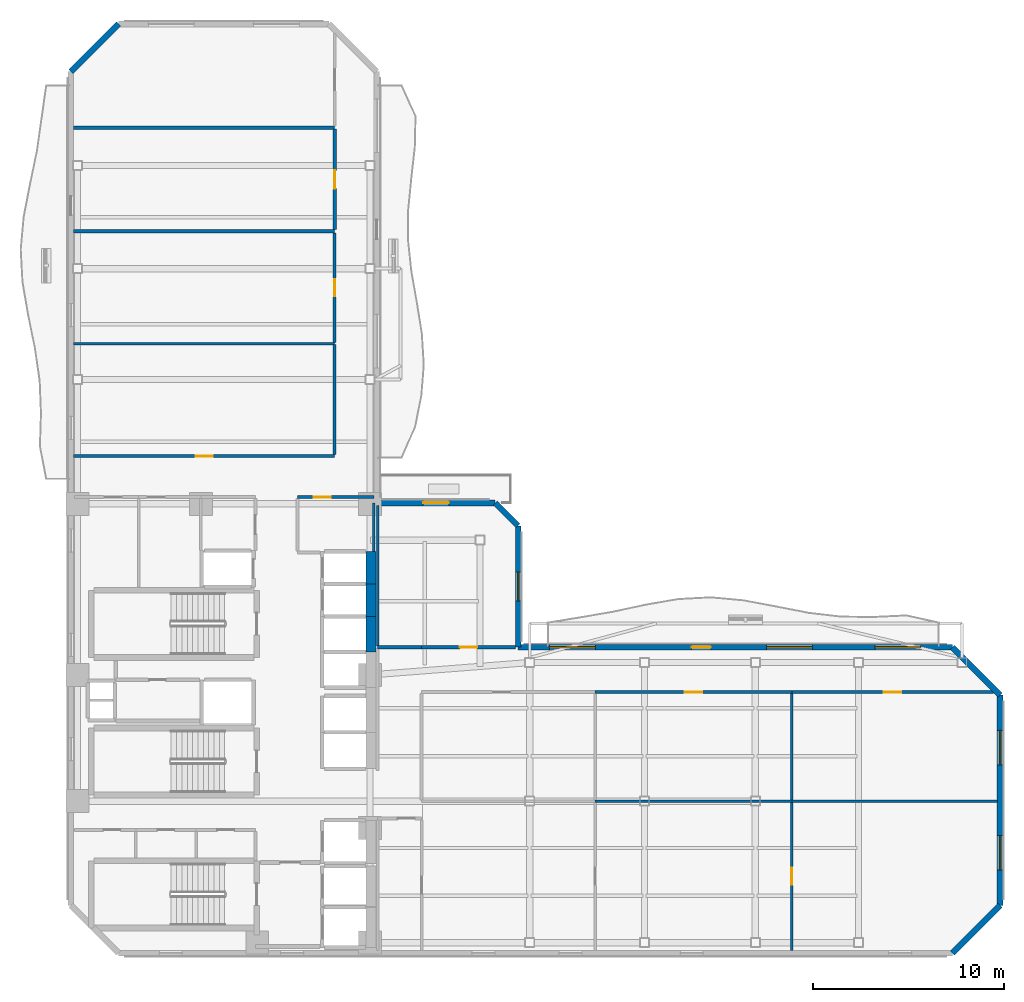
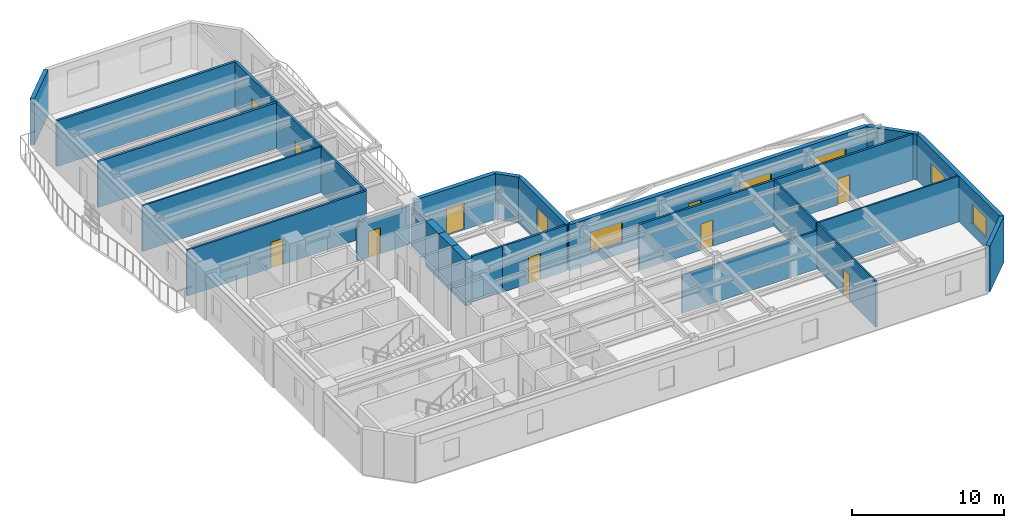
# One storey, part 5 of 12: 29 walls, 10 doors, 6 windows, 16 openings.
"""IFC4 building model written with IfcOpenShell, lengths in metres."""

from ifc_helpers import new_model, si_unit, direction, frame, frame_2d, origin, place, context, subcontext, project, spatial, rectangle, extrude, material, layer, layer_set, type_object, element, fill, save


model = new_model("IFC4")

# Units and contexts
model_context = context("Model", 3, precision=1e-05, world=origin(), true_north=direction((0.0, 1.0)))
body_context = subcontext(model_context, "Body", "Model", "MODEL_VIEW")
ifc_project = project(units=[si_unit("LENGTHUNIT", "METRE"), si_unit("AREAUNIT", "SQUARE_METRE"), si_unit("VOLUMEUNIT", "CUBIC_METRE"), si_unit("PLANEANGLEUNIT", "RADIAN"), si_unit("MASSUNIT", "GRAM", prefix="KILO")], contexts=[model_context])

# Site, building, storey
site_placement = place(None, origin())
site = spatial("IfcSite", under=ifc_project, at=site_placement, CompositionType="ELEMENT")
building_placement = place(site_placement, origin())
building = spatial("IfcBuilding", under=site, at=building_placement, Name="Mawjaban Terraces University", CompositionType="ELEMENT")
storey_placement = place(building_placement, frame((0.0, 0.0, 150.199951171875)))
storey = spatial("IfcBuildingStorey", under=building, at=storey_placement, Name="L36", CompositionType="ELEMENT", Elevation=150.199951171875)

# Walls
ifc_material_1 = material(Name="Acoustic masonry blockwork", Category="masonry")
ifc_layer_1 = layer(ifc_material_1, 0.179931640625)
ifc_layer_set_1 = layer_set([ifc_layer_1], Name="Acoustic masonry blockwork")
wall_type_1 = type_object("IfcWallType", Name="AcousticStudioWall_180", PredefinedType="PARTITIONING", material=ifc_layer_set_1)
for number, where, z_axis, x_axis, name in (
    (1, (35.800048828125, 37.75, 0.0), (0.0, 0.0, 1.0), (-1.0, 0.0, 0.0), "L36 Quiet Reading Room 9 Partition 14"),
    (2, (35.800048828125, 43.179931640625, 0.0), (0.0, 0.0, 1.0), (-1.0, 0.0, 0.0), "L36 Media Workshop 10 Partition 15"),
):
    element("IfcWall", number, at=place(storey_placement, frame(where, z_axis=z_axis, x_axis=x_axis)), inside=storey, type_object=wall_type_1, Name=name, PredefinedType="PARTITIONING", context=body_context, shape_type="SweptSolid", body=[
        extrude(rectangle(XDim=13.655029296875, YDim=0.179931640625, at=frame_2d((6.82763671875, 0.0))), origin(), (0.0, 0.0, 1.0), 3.68994140625),
    ])

# Wall, opening, door
wall_1_placement = place(storey_placement, frame((35.800048828125, 43.094970703125, 0.0), z_axis=(0.0, 0.0, 1.0), x_axis=(0.0, -1.0, 0.0)))
wall_1 = element("IfcWall", 3, at=wall_1_placement, inside=storey, type_object=wall_type_1, Name="L36 Inner Terrace Gallery Corridor North Partition 36", PredefinedType="PARTITIONING", context=body_context, shape_type="SweptSolid", body=[
    extrude(rectangle(XDim=5.260009765625, YDim=0.179931640625, at=frame_2d((2.6298828125, 0.0))), origin(), (0.0, 0.0, 1.0), 3.68994140625),
])
opening_1_placement = place(wall_1_placement, frame((2.155029296875, 0.0, 0.0)))
opening_1 = element("IfcOpeningElement", 4, at=opening_1_placement, cuts=wall_1, Name="Opening ID-095", PredefinedType="OPENING", context=body_context, shape_type="SweptSolid", body=[
    extrude(rectangle(XDim=0.949951171875, YDim=2.10009765625, at=frame_2d((0.47509765625, 1.050048828125))), frame((0.0, 0.099853515625, 0.0), z_axis=(0.0, -1.0, 0.0), x_axis=(1.0, 0.0, 0.0)), (0.0, 0.0, 1.0), 0.199951171875),
])
ifc_material_2 = material(Name="Powder-coated steel frame and solid acoustic timber leaf", Category="steel")
door_type_1 = type_object("IfcDoorType", Name="StudioDoor_950x2100", OperationType="NOTDEFINED", PredefinedType="DOOR", material=ifc_material_2)
door_1_placement = place(opening_1_placement, origin())
door_1 = element("IfcDoor", 5, at=door_1_placement, inside=storey, type_object=door_type_1, Name="L36 Media Workshop 10 Door", OperationType="SINGLE_SWING_RIGHT", OverallHeight=2.10009765625, OverallWidth=0.949951171875, PredefinedType="DOOR", context=body_context, shape_type="SweptSolid", body=[
    extrude(rectangle(XDim=0.949951171875, YDim=2.10009765625, at=frame_2d((0.47509765625, 1.050048828125))), frame((0.0, 0.02490234375, 0.0), z_axis=(0.0, -1.0, 0.0), x_axis=(1.0, 0.0, 0.0)), (0.0, 0.0, 1.0), 0.050048828125),
])
fill(opening_1, door_1)

# Walls
ifc_material_3 = material(Name="Concrete C60/75", Category="concrete")
ifc_layer_2 = layer(ifc_material_3, 0.5)
ifc_layer_set_2 = layer_set([ifc_layer_2], Name="Concrete C60/75")
wall_type_2 = type_object("IfcWallType", Name="CoreShearWall_500", PredefinedType="SHEAR", material=ifc_layer_set_2)
wall_2_placement = place(storey_placement, frame((37.699951171875, 15.75, 0.0), z_axis=(0.0, 0.0, 1.0), x_axis=(0.0, 1.0, 0.0)))
element("IfcWall", 6, at=wall_2_placement, inside=storey, type_object=wall_type_2, Name="L36 Lift OL-2 Hoistway Wall East", PredefinedType="SHEAR", context=body_context, shape_type="SweptSolid", body=[
    extrude(rectangle(XDim=1.85009765625, YDim=0.5, at=frame_2d((0.925048828125, 0.0))), origin(), (0.0, 0.0, 1.0), 3.68994140625),
])
for number, where, z_axis, x_axis, name in (
    (7, (37.699951171875, 17.60009765625, 0.0), (0.0, 0.0, 1.0), (0.0, 1.0, 0.0), "L36 Lift PL-M1 Hoistway Wall East"),
    (8, (37.699951171875, 19.300048828125, 0.0), (0.0, 0.0, 1.0), (0.0, 1.0, 0.0), "L36 Lift PL-M2 Hoistway Wall East"),
):
    element("IfcWall", number, at=place(storey_placement, frame(where, z_axis=z_axis, x_axis=x_axis)), inside=storey, type_object=wall_type_2, Name=name, PredefinedType="SHEAR", context=body_context, shape_type="SweptSolid", body=[
        extrude(rectangle(XDim=1.699951171875, YDim=0.5, at=frame_2d((0.85009765625, 0.0))), origin(), (0.0, 0.0, 1.0), 3.68994140625),
    ])

# Wall, opening, door
ifc_material_4 = material(Name="Fire-rated gypsum board on steel stud", Category="steel")
ifc_layer_3 = layer(ifc_material_4, 0.159912109375)
ifc_layer_set_3 = layer_set([ifc_layer_3], Name="Fire-rated gypsum board on steel stud")
wall_type_3 = type_object("IfcWallType", Name="CorridorPartition_160", PredefinedType="PARTITIONING", material=ifc_layer_set_3)
wall_3_placement = place(storey_placement, frame((35.800048828125, 26.0, 0.0), z_axis=(0.0, 0.0, 1.0), x_axis=(-1.0, 0.0, 0.0)))
wall_3 = element("IfcWall", 9, at=wall_3_placement, inside=storey, type_object=wall_type_3, Name="L36 North Core Cross-Corridor Partition 12", PredefinedType="PARTITIONING", context=body_context, shape_type="SweptSolid", body=[
    extrude(rectangle(XDim=13.655029296875, YDim=0.159912109375, at=frame_2d((6.82763671875, 0.0))), origin(), (0.0, 0.0, 1.0), 3.68994140625),
])
opening_2_placement = place(wall_3_placement, frame((6.376953125, 0.0, 0.0)))
opening_2 = element("IfcOpeningElement", 10, at=opening_2_placement, cuts=wall_3, Name="Opening ID-090", PredefinedType="OPENING", context=body_context, shape_type="SweptSolid", body=[
    extrude(rectangle(XDim=0.89990234375, YDim=2.10009765625, at=frame_2d((0.449951171875, 1.050048828125))), frame((0.0, 0.08984375, 0.0), z_axis=(0.0, -1.0, 0.0), x_axis=(1.0, 0.0, 0.0)), (0.0, 0.0, 1.0), 0.179931640625),
])
door_type_2 = type_object("IfcDoorType", Name="OfficeDoor_900x2100", OperationType="NOTDEFINED", PredefinedType="DOOR", material=ifc_material_2)
door_2_placement = place(opening_2_placement, origin())
door_2 = element("IfcDoor", 11, at=door_2_placement, inside=storey, type_object=door_type_2, Name="L36 Departmental Office 8 Door", OperationType="SINGLE_SWING_RIGHT", OverallHeight=2.10009765625, OverallWidth=0.89990234375, PredefinedType="DOOR", context=body_context, shape_type="SweptSolid", body=[
    extrude(rectangle(XDim=0.89990234375, YDim=2.10009765625, at=frame_2d((0.449951171875, 1.050048828125))), frame((0.0, 0.02490234375, 0.0), z_axis=(0.0, -1.0, 0.0), x_axis=(1.0, 0.0, 0.0)), (0.0, 0.0, 1.0), 0.050048828125),
])
fill(opening_2, door_2)

wall_4_placement = place(storey_placement, frame((37.85009765625, 23.85009765625, 0.0), z_axis=(0.0, 0.0, 1.0), x_axis=(-1.0, 0.0, 0.0)))
wall_4 = element("IfcWall", 12, at=wall_4_placement, inside=storey, type_object=wall_type_3, Name="L36 Departmental Resource Seminar Room Partition 16", PredefinedType="PARTITIONING", context=body_context, shape_type="SweptSolid", body=[
    extrude(rectangle(XDim=4.0, YDim=0.159912109375, at=frame_2d((2.0, 0.0))), origin(), (0.0, 0.0, 1.0), 3.073974609375),
])
opening_3_placement = place(wall_4_placement, frame((2.25, 0.0, 0.0)))
opening_3 = element("IfcOpeningElement", 13, at=opening_3_placement, cuts=wall_4, Name="Opening ID-090", PredefinedType="OPENING", context=body_context, shape_type="SweptSolid", body=[
    extrude(rectangle(XDim=0.89990234375, YDim=2.10009765625, at=frame_2d((0.449951171875, 1.050048828125))), frame((0.0, 0.08984375, 0.0), z_axis=(0.0, -1.0, 0.0), x_axis=(1.0, 0.0, 0.0)), (0.0, 0.0, 1.0), 0.179931640625),
])
door_3_placement = place(opening_3_placement, origin())
door_3 = element("IfcDoor", 14, at=door_3_placement, inside=storey, type_object=door_type_2, Name="L36 Departmental Resource Seminar Room Door", OperationType="SINGLE_SWING_LEFT", OverallHeight=2.10009765625, OverallWidth=0.89990234375, PredefinedType="DOOR", context=body_context, shape_type="SweptSolid", body=[
    extrude(rectangle(XDim=0.89990234375, YDim=2.10009765625, at=frame_2d((0.449951171875, 1.050048828125))), frame((0.0, 0.02490234375, 0.0), z_axis=(0.0, -1.0, 0.0), x_axis=(1.0, 0.0, 0.0)), (0.0, 0.0, 1.0), 0.050048828125),
])
fill(opening_3, door_3)

# Wall
wall_5_placement = place(storey_placement, frame((40.35009765625, 16.0, 0.0), z_axis=(0.0, 0.0, 1.0), x_axis=(-1.0, 0.0, 0.0)))
element("IfcWall", 15, at=wall_5_placement, inside=storey, type_object=wall_type_3, Name="L36 Inner Gallery Link Corridor Partition 19", PredefinedType="PARTITIONING", context=body_context, shape_type="SweptSolid", body=[
    extrude(rectangle(XDim=2.300048828125, YDim=0.159912109375, at=frame_2d((1.14990234375, 0.0))), origin(), (0.0, 0.0, 1.0), 3.68994140625),
])

# Wall, opening, door
wall_6_placement = place(storey_placement, frame((40.35009765625, 16.0, 0.0), z_axis=(0.0, 0.0, 1.0), x_axis=(1.0, 0.0, 0.0)))
wall_6 = element("IfcWall", 16, at=wall_6_placement, inside=storey, type_object=wall_type_3, Name="L36 Terrace Collaborative Study Room Partition 20", PredefinedType="PARTITIONING", context=body_context, shape_type="SweptSolid", body=[
    extrude(rectangle(XDim=4.89892578125, YDim=0.159912109375, at=frame_2d((2.449462890625, 0.0))), origin(), (0.0, 0.0, 1.0), 3.68994140625),
])
opening_4_placement = place(wall_6_placement, frame((2.0, 0.0, 0.0)))
opening_4 = element("IfcOpeningElement", 17, at=opening_4_placement, cuts=wall_6, Name="Opening ID-090", PredefinedType="OPENING", context=body_context, shape_type="SweptSolid", body=[
    extrude(rectangle(XDim=0.89990234375, YDim=2.10009765625, at=frame_2d((0.449951171875, 1.050048828125))), frame((0.0, 0.08984375, 0.0), z_axis=(0.0, -1.0, 0.0), x_axis=(1.0, 0.0, 0.0)), (0.0, 0.0, 1.0), 0.179931640625),
])
door_4_placement = place(opening_4_placement, origin())
door_4 = element("IfcDoor", 18, at=door_4_placement, inside=storey, type_object=door_type_2, Name="L36 Terrace Collaborative Study Room Door", OperationType="SINGLE_SWING_RIGHT", OverallHeight=2.10009765625, OverallWidth=0.89990234375, PredefinedType="DOOR", context=body_context, shape_type="SweptSolid", body=[
    extrude(rectangle(XDim=0.89990234375, YDim=2.10009765625, at=frame_2d((0.449951171875, 1.050048828125))), frame((0.0, 0.02490234375, 0.0), z_axis=(0.0, -1.0, 0.0), x_axis=(1.0, 0.0, 0.0)), (0.0, 0.0, 1.0), 0.050048828125),
])
fill(opening_4, door_4)

wall_7_placement = place(storey_placement, frame((49.419921875, 13.64990234375, 0.0), z_axis=(0.0, 0.0, 1.0), x_axis=(1.0, 0.0, 0.0)))
wall_7 = element("IfcWall", 19, at=wall_7_placement, inside=storey, type_object=wall_type_3, Name="L36 Inner Terrace Gallery Corridor East Partition 22", PredefinedType="PARTITIONING", context=body_context, shape_type="SweptSolid", body=[
    extrude(rectangle(XDim=10.2900390625, YDim=0.159912109375, at=frame_2d((5.14501953125, 0.0))), origin(), (0.0, 0.0, 1.0), 3.68994140625),
])
opening_5_placement = place(wall_7_placement, frame((4.695068359375, 0.0, 0.0)))
opening_5 = element("IfcOpeningElement", 20, at=opening_5_placement, cuts=wall_7, Name="Opening ID-090", PredefinedType="OPENING", context=body_context, shape_type="SweptSolid", body=[
    extrude(rectangle(XDim=0.89990234375, YDim=2.10009765625, at=frame_2d((0.449951171875, 1.050048828125))), frame((0.0, 0.08984375, 0.0), z_axis=(0.0, -1.0, 0.0), x_axis=(1.0, 0.0, 0.0)), (0.0, 0.0, 1.0), 0.179931640625),
])
door_5_placement = place(opening_5_placement, origin())
door_5 = element("IfcDoor", 21, at=door_5_placement, inside=storey, type_object=door_type_2, Name="L36 Faculty Office 5 Door", OperationType="SINGLE_SWING_LEFT", OverallHeight=2.10009765625, OverallWidth=0.89990234375, PredefinedType="DOOR", context=body_context, shape_type="SweptSolid", body=[
    extrude(rectangle(XDim=0.89990234375, YDim=2.10009765625, at=frame_2d((0.449951171875, 1.050048828125))), frame((0.0, 0.02490234375, 0.0), z_axis=(0.0, -1.0, 0.0), x_axis=(1.0, 0.0, 0.0)), (0.0, 0.0, 1.0), 0.050048828125),
])
fill(opening_5, door_5)

wall_8_placement = place(storey_placement, frame((59.7099609375, 13.64990234375, 0.0), z_axis=(0.0, 0.0, 1.0), x_axis=(1.0, 0.0, 0.0)))
wall_8 = element("IfcWall", 22, at=wall_8_placement, inside=storey, type_object=wall_type_3, Name="L36 Inner Terrace Gallery Corridor East Partition 24", PredefinedType="PARTITIONING", context=body_context, shape_type="SweptSolid", body=[
    extrude(rectangle(XDim=10.53515625, YDim=0.159912109375, at=frame_2d((5.267578125, 0.0))), origin(), (0.0, 0.0, 1.0), 3.68994140625),
])
opening_6_placement = place(wall_8_placement, frame((4.818115234375, 0.0, 0.0)))
opening_6 = element("IfcOpeningElement", 23, at=opening_6_placement, cuts=wall_8, Name="Opening ID-090", PredefinedType="OPENING", context=body_context, shape_type="SweptSolid", body=[
    extrude(rectangle(XDim=0.89990234375, YDim=2.10009765625, at=frame_2d((0.449951171875, 1.050048828125))), frame((0.0, 0.08984375, 0.0), z_axis=(0.0, -1.0, 0.0), x_axis=(1.0, 0.0, 0.0)), (0.0, 0.0, 1.0), 0.179931640625),
])
door_6_placement = place(opening_6_placement, origin())
door_6 = element("IfcDoor", 24, at=door_6_placement, inside=storey, type_object=door_type_2, Name="L36 Faculty Office 7 Door", OperationType="SINGLE_SWING_LEFT", OverallHeight=2.10009765625, OverallWidth=0.89990234375, PredefinedType="DOOR", context=body_context, shape_type="SweptSolid", body=[
    extrude(rectangle(XDim=0.89990234375, YDim=2.10009765625, at=frame_2d((0.449951171875, 1.050048828125))), frame((0.0, 0.02490234375, 0.0), z_axis=(0.0, -1.0, 0.0), x_axis=(1.0, 0.0, 0.0)), (0.0, 0.0, 1.0), 0.050048828125),
])
fill(opening_6, door_6)

# Wall
wall_9_placement = place(storey_placement, frame((35.800048828125, 31.822021484375, 0.0), z_axis=(0.0, 0.0, 1.0), x_axis=(0.0, -1.0, 0.0)))
element("IfcWall", 25, at=wall_9_placement, inside=storey, type_object=wall_type_3, Name="L36 Inner Terrace Gallery Corridor North Partition 34", PredefinedType="PARTITIONING", context=body_context, shape_type="SweptSolid", body=[
    extrude(rectangle(XDim=5.7470703125, YDim=0.159912109375, at=frame_2d((2.87353515625, 0.0))), origin(), (0.0, 0.0, 1.0), 3.68994140625),
])

# Wall, opening, door
wall_10_placement = place(storey_placement, frame((35.800048828125, 37.6650390625, 0.0), z_axis=(0.0, 0.0, 1.0), x_axis=(0.0, -1.0, 0.0)))
wall_10 = element("IfcWall", 26, at=wall_10_placement, inside=storey, type_object=wall_type_3, Name="L36 Inner Terrace Gallery Corridor North Partition 35", PredefinedType="PARTITIONING", context=body_context, shape_type="SweptSolid", body=[
    extrude(rectangle(XDim=5.72705078125, YDim=0.159912109375, at=frame_2d((2.863525390625, 0.0))), origin(), (0.0, 0.0, 1.0), 3.68994140625),
])
opening_7_placement = place(wall_10_placement, frame((2.4130859375, 0.0, 0.0)))
opening_7 = element("IfcOpeningElement", 27, at=opening_7_placement, cuts=wall_10, Name="Opening ID-090", PredefinedType="OPENING", context=body_context, shape_type="SweptSolid", body=[
    extrude(rectangle(XDim=0.89990234375, YDim=2.10009765625, at=frame_2d((0.449951171875, 1.050048828125))), frame((0.0, 0.08984375, 0.0), z_axis=(0.0, -1.0, 0.0), x_axis=(1.0, 0.0, 0.0)), (0.0, 0.0, 1.0), 0.179931640625),
])
door_7_placement = place(opening_7_placement, origin())
door_7 = element("IfcDoor", 28, at=door_7_placement, inside=storey, type_object=door_type_2, Name="L36 Quiet Reading Room 9 Door", OperationType="SINGLE_SWING_LEFT", OverallHeight=2.10009765625, OverallWidth=0.89990234375, PredefinedType="DOOR", context=body_context, shape_type="SweptSolid", body=[
    extrude(rectangle(XDim=0.89990234375, YDim=2.10009765625, at=frame_2d((0.449951171875, 1.050048828125))), frame((0.0, 0.02490234375, 0.0), z_axis=(0.0, -1.0, 0.0), x_axis=(1.0, 0.0, 0.0)), (0.0, 0.0, 1.0), 0.050048828125),
])
fill(opening_7, door_7)

# Wall
ifc_material_5 = material(Name="Insulated terracotta rainscreen on concrete backup C40/50", Category="masonry")
ifc_layer_4 = layer(ifc_material_5, 0.300048828125)
ifc_layer_set_4 = layer_set([ifc_layer_4], Name="Insulated terracotta rainscreen on concrete backup C40/50")
wall_type_4 = type_object("IfcWallType", Name="ExtTerracottaWall_300", PredefinedType="SOLIDWALL", material=ifc_layer_set_4)
wall_11_placement = place(storey_placement, frame((68.10009765625, 0.0, 0.0), z_axis=(0.0, 0.0, 1.0), x_axis=(0.707106781187, 0.707106781187, 0.0)))
element("IfcWall", 29, at=wall_11_placement, inside=storey, type_object=wall_type_4, Name="L36 Exterior Terracotta Wall 2", PredefinedType="SOLIDWALL", context=body_context, shape_type="SweptSolid", body=[
    extrude(rectangle(XDim=3.53564453125, YDim=0.300048828125, at=frame_2d((1.767822265625, 0.0))), origin(), (0.0, 0.0, 1.0), 3.68994140625),
])

# Wall, openings, windows
wall_12_placement = place(storey_placement, frame((70.60009765625, 2.5, 0.0), z_axis=(0.0, 0.0, 1.0), x_axis=(0.0, 1.0, 0.0)))
wall_12 = element("IfcWall", 30, at=wall_12_placement, inside=storey, type_object=wall_type_4, Name="L36 Exterior Terracotta Wall 3", PredefinedType="SOLIDWALL", context=body_context, shape_type="SweptSolid", body=[
    extrude(rectangle(XDim=11.0, YDim=0.300048828125, at=frame_2d((5.5, 0.0))), origin(), (0.0, 0.0, 1.0), 3.68994140625),
])
opening_8_placement = place(wall_12_placement, frame((1.85009765625, 0.0, 0.89990234375)))
opening_8 = element("IfcOpeningElement", 31, at=opening_8_placement, cuts=wall_12, Name="Opening W-03", PredefinedType="OPENING", context=body_context, shape_type="SweptSolid", body=[
    extrude(rectangle(XDim=1.800048828125, YDim=1.60009765625, at=frame_2d((0.89990234375, 0.800048828125))), frame((0.0, 0.159912109375, 0.0), z_axis=(0.0, -1.0, 0.0), x_axis=(1.0, 0.0, 0.0)), (0.0, 0.0, 1.0), 0.320068359375),
])
opening_9_placement = place(wall_12_placement, frame((7.35009765625, 0.0, 0.89990234375)))
opening_9 = element("IfcOpeningElement", 32, at=opening_9_placement, cuts=wall_12, Name="Opening W-03", PredefinedType="OPENING", context=body_context, shape_type="SweptSolid", body=[
    extrude(rectangle(XDim=1.800048828125, YDim=1.60009765625, at=frame_2d((0.89990234375, 0.800048828125))), frame((0.0, 0.159912109375, 0.0), z_axis=(0.0, -1.0, 0.0), x_axis=(1.0, 0.0, 0.0)), (0.0, 0.0, 1.0), 0.320068359375),
])
ifc_material_6 = material(Name="Low-E solar-control double glazing in thermally broken aluminium frame", Category="aluminium")
window_type_1 = type_object("IfcWindowType", Name="Win_1800x1600", PartitioningType="SINGLE_PANEL", PredefinedType="WINDOW", material=ifc_material_6)
window_1_placement = place(opening_8_placement, origin())
window_1 = element("IfcWindow", 33, at=window_1_placement, inside=storey, type_object=window_type_1, Name="L36 Facade Window 3.1", OverallHeight=1.60009765625, OverallWidth=1.800048828125, PartitioningType="SINGLE_PANEL", PredefinedType="WINDOW", context=body_context, shape_type="SweptSolid", body=[
    extrude(rectangle(XDim=1.800048828125, YDim=1.60009765625, at=frame_2d((0.89990234375, 0.800048828125))), frame((0.0, 0.030029296875, 0.0), z_axis=(0.0, -1.0, 0.0), x_axis=(1.0, 0.0, 0.0)), (0.0, 0.0, 1.0), 0.06005859375),
])
fill(opening_8, window_1)
window_2_placement = place(opening_9_placement, origin())
window_2 = element("IfcWindow", 34, at=window_2_placement, inside=storey, type_object=window_type_1, Name="L36 Facade Window 3.2", OverallHeight=1.60009765625, OverallWidth=1.800048828125, PartitioningType="SINGLE_PANEL", PredefinedType="WINDOW", context=body_context, shape_type="SweptSolid", body=[
    extrude(rectangle(XDim=1.800048828125, YDim=1.60009765625, at=frame_2d((0.89990234375, 0.800048828125))), frame((0.0, 0.030029296875, 0.0), z_axis=(0.0, -1.0, 0.0), x_axis=(1.0, 0.0, 0.0)), (0.0, 0.0, 1.0), 0.06005859375),
])
fill(opening_9, window_2)

# Wall
wall_13_placement = place(storey_placement, frame((70.60009765625, 13.5, 0.0), z_axis=(0.0, 0.0, 1.0), x_axis=(-0.707106781187, 0.707106781187, 0.0)))
element("IfcWall", 35, at=wall_13_placement, inside=storey, type_object=wall_type_4, Name="L36 Exterior Terracotta Wall 4", PredefinedType="SOLIDWALL", context=body_context, shape_type="SweptSolid", body=[
    extrude(rectangle(XDim=3.53564453125, YDim=0.300048828125, at=frame_2d((1.767822265625, 0.0))), origin(), (0.0, 0.0, 1.0), 3.68994140625),
])

# Wall, openings, door, windows
wall_14_placement = place(storey_placement, frame((68.10009765625, 16.0, 0.0), z_axis=(0.0, 0.0, 1.0), x_axis=(-1.0, 0.0, 0.0)))
wall_14 = element("IfcWall", 36, at=wall_14_placement, inside=storey, type_object=wall_type_4, Name="L36 Exterior Terracotta Wall 5", PredefinedType="SOLIDWALL", context=body_context, shape_type="SweptSolid", body=[
    extrude(rectangle(XDim=22.7060546875, YDim=0.300048828125, at=frame_2d((11.35302734375, 0.0))), origin(), (0.0, 0.0, 1.0), 3.68994140625),
])
opening_10_placement = place(wall_14_placement, frame((12.626953125, 0.0, 0.0)))
opening_10 = element("IfcOpeningElement", 37, at=opening_10_placement, cuts=wall_14, Name="Opening BD-100", PredefinedType="OPENING", context=body_context, shape_type="SweptSolid", body=[
    extrude(rectangle(XDim=1.0, YDim=2.199951171875, at=frame_2d((0.5, 1.10009765625))), frame((0.0, 0.159912109375, 0.0), z_axis=(0.0, -1.0, 0.0), x_axis=(1.0, 0.0, 0.0)), (0.0, 0.0, 1.0), 0.320068359375),
])
opening_11_placement = place(wall_14_placement, frame((1.637939453125, 0.0, 0.89990234375)))
opening_11 = element("IfcOpeningElement", 38, at=opening_11_placement, cuts=wall_14, Name="Opening W-05", PredefinedType="OPENING", context=body_context, shape_type="SweptSolid", body=[
    extrude(rectangle(XDim=2.39990234375, YDim=1.60009765625, at=frame_2d((1.199951171875, 0.800048828125))), frame((0.0, 0.159912109375, 0.0), z_axis=(0.0, -1.0, 0.0), x_axis=(1.0, 0.0, 0.0)), (0.0, 0.0, 1.0), 0.320068359375),
])
opening_12_placement = place(wall_14_placement, frame((7.31494140625, 0.0, 0.89990234375)))
opening_12 = element("IfcOpeningElement", 39, at=opening_12_placement, cuts=wall_14, Name="Opening W-05", PredefinedType="OPENING", context=body_context, shape_type="SweptSolid", body=[
    extrude(rectangle(XDim=2.39990234375, YDim=1.60009765625, at=frame_2d((1.199951171875, 0.800048828125))), frame((0.0, 0.159912109375, 0.0), z_axis=(0.0, -1.0, 0.0), x_axis=(1.0, 0.0, 0.0)), (0.0, 0.0, 1.0), 0.320068359375),
])
opening_13_placement = place(wall_14_placement, frame((18.66796875, 0.0, 0.89990234375)))
opening_13 = element("IfcOpeningElement", 40, at=opening_13_placement, cuts=wall_14, Name="Opening W-05", PredefinedType="OPENING", context=body_context, shape_type="SweptSolid", body=[
    extrude(rectangle(XDim=2.39990234375, YDim=1.60009765625, at=frame_2d((1.199951171875, 0.800048828125))), frame((0.0, 0.159912109375, 0.0), z_axis=(0.0, -1.0, 0.0), x_axis=(1.0, 0.0, 0.0)), (0.0, 0.0, 1.0), 0.320068359375),
])
ifc_material_7 = material(Name="Thermally broken anodised aluminium and laminated safety glass", Category="aluminium")
door_type_3 = type_object("IfcDoorType", Name="BalconyGlazedDoor_1000x2200", OperationType="NOTDEFINED", PredefinedType="DOOR", material=ifc_material_7)
door_8_placement = place(opening_10_placement, origin())
door_8 = element("IfcDoor", 41, at=door_8_placement, inside=storey, type_object=door_type_3, Name="L36 Balcony Access Door inner_north", OperationType="SINGLE_SWING_LEFT", OverallHeight=2.199951171875, OverallWidth=1.0, PredefinedType="DOOR", context=body_context, shape_type="SweptSolid", body=[
    extrude(rectangle(XDim=1.0, YDim=2.199951171875, at=frame_2d((0.5, 1.10009765625))), frame((0.0, 0.02490234375, 0.0), z_axis=(0.0, -1.0, 0.0), x_axis=(1.0, 0.0, 0.0)), (0.0, 0.0, 1.0), 0.050048828125),
])
fill(opening_10, door_8)
window_type_2 = type_object("IfcWindowType", Name="Win_2400x1600", PartitioningType="SINGLE_PANEL", PredefinedType="WINDOW", material=ifc_material_6)
window_3_placement = place(opening_11_placement, origin())
window_3 = element("IfcWindow", 42, at=window_3_placement, inside=storey, type_object=window_type_2, Name="L36 Facade Window 5.1", OverallHeight=1.60009765625, OverallWidth=2.39990234375, PartitioningType="SINGLE_PANEL", PredefinedType="WINDOW", context=body_context, shape_type="SweptSolid", body=[
    extrude(rectangle(XDim=2.39990234375, YDim=1.60009765625, at=frame_2d((1.199951171875, 0.800048828125))), frame((0.0, 0.030029296875, 0.0), z_axis=(0.0, -1.0, 0.0), x_axis=(1.0, 0.0, 0.0)), (0.0, 0.0, 1.0), 0.06005859375),
])
fill(opening_11, window_3)
window_4_placement = place(opening_12_placement, origin())
window_4 = element("IfcWindow", 43, at=window_4_placement, inside=storey, type_object=window_type_2, Name="L36 Facade Window 5.2", OverallHeight=1.60009765625, OverallWidth=2.39990234375, PartitioningType="SINGLE_PANEL", PredefinedType="WINDOW", context=body_context, shape_type="SweptSolid", body=[
    extrude(rectangle(XDim=2.39990234375, YDim=1.60009765625, at=frame_2d((1.199951171875, 0.800048828125))), frame((0.0, 0.030029296875, 0.0), z_axis=(0.0, -1.0, 0.0), x_axis=(1.0, 0.0, 0.0)), (0.0, 0.0, 1.0), 0.06005859375),
])
fill(opening_12, window_4)
window_5_placement = place(opening_13_placement, origin())
window_5 = element("IfcWindow", 44, at=window_5_placement, inside=storey, type_object=window_type_2, Name="L36 Facade Window 5.4", OverallHeight=1.60009765625, OverallWidth=2.39990234375, PartitioningType="SINGLE_PANEL", PredefinedType="WINDOW", context=body_context, shape_type="SweptSolid", body=[
    extrude(rectangle(XDim=2.39990234375, YDim=1.60009765625, at=frame_2d((1.199951171875, 0.800048828125))), frame((0.0, 0.030029296875, 0.0), z_axis=(0.0, -1.0, 0.0), x_axis=(1.0, 0.0, 0.0)), (0.0, 0.0, 1.0), 0.06005859375),
])
fill(opening_13, window_5)

# Wall, opening, window
wall_15_placement = place(storey_placement, frame((45.39404296875, 16.0, 0.0), z_axis=(0.0, 0.0, 1.0), x_axis=(0.0, 1.0, 0.0)))
wall_15 = element("IfcWall", 45, at=wall_15_placement, inside=storey, type_object=wall_type_4, Name="L36 Exterior Terracotta Wall 6", PredefinedType="SOLIDWALL", context=body_context, shape_type="SweptSolid", body=[
    extrude(rectangle(XDim=6.35009765625, YDim=0.300048828125, at=frame_2d((3.175048828125, 0.0))), origin(), (0.0, 0.0, 1.0), 3.68994140625),
])
opening_14_placement = place(wall_15_placement, frame((2.425048828125, 0.0, 0.89990234375)))
opening_14 = element("IfcOpeningElement", 46, at=opening_14_placement, cuts=wall_15, Name="Opening W-06", PredefinedType="OPENING", context=body_context, shape_type="SweptSolid", body=[
    extrude(rectangle(XDim=1.5, YDim=1.800048828125, at=frame_2d((0.75, 0.89990234375))), frame((0.0, 0.159912109375, 0.0), z_axis=(0.0, -1.0, 0.0), x_axis=(1.0, 0.0, 0.0)), (0.0, 0.0, 1.0), 0.320068359375),
])
window_type_3 = type_object("IfcWindowType", Name="Win_1500x1800", PartitioningType="SINGLE_PANEL", PredefinedType="WINDOW", material=ifc_material_6)
window_6_placement = place(opening_14_placement, origin())
window_6 = element("IfcWindow", 47, at=window_6_placement, inside=storey, type_object=window_type_3, Name="L36 Facade Window 6.1", OverallHeight=1.800048828125, OverallWidth=1.5, PartitioningType="SINGLE_PANEL", PredefinedType="WINDOW", context=body_context, shape_type="SweptSolid", body=[
    extrude(rectangle(XDim=1.5, YDim=1.800048828125, at=frame_2d((0.75, 0.89990234375))), frame((0.0, 0.030029296875, 0.0), z_axis=(0.0, -1.0, 0.0), x_axis=(1.0, 0.0, 0.0)), (0.0, 0.0, 1.0), 0.06005859375),
])
fill(opening_14, window_6)

# Wall
wall_16_placement = place(storey_placement, frame((45.39404296875, 22.35009765625, 0.0), z_axis=(0.0, 0.0, 1.0), x_axis=(-0.707106781187, 0.707106781187, 0.0)))
element("IfcWall", 48, at=wall_16_placement, inside=storey, type_object=wall_type_4, Name="L36 Exterior Terracotta Wall 7", PredefinedType="SOLIDWALL", context=body_context, shape_type="SweptSolid", body=[
    extrude(rectangle(XDim=1.697021484375, YDim=0.300048828125, at=frame_2d((0.8486328125, 0.0))), origin(), (0.0, 0.0, 1.0), 3.68994140625),
])

# Wall, opening, door
wall_17_placement = place(storey_placement, frame((44.194091796875, 23.550048828125, 0.0), z_axis=(0.0, 0.0, 1.0), x_axis=(-1.0, 0.0, 0.0)))
wall_17 = element("IfcWall", 49, at=wall_17_placement, inside=storey, type_object=wall_type_4, Name="L36 Exterior Terracotta Wall 8", PredefinedType="SOLIDWALL", context=body_context, shape_type="SweptSolid", body=[
    extrude(rectangle(XDim=6.194091796875, YDim=0.300048828125, at=frame_2d((3.09716796875, 0.0))), origin(), (0.0, 0.0, 1.0), 3.68994140625),
])
opening_15_placement = place(wall_17_placement, frame((2.422119140625, 0.0, 0.0)))
opening_15 = element("IfcOpeningElement", 50, at=opening_15_placement, cuts=wall_17, Name="Opening TD-135", PredefinedType="OPENING", context=body_context, shape_type="SweptSolid", body=[
    extrude(rectangle(XDim=1.35009765625, YDim=2.199951171875, at=frame_2d((0.675048828125, 1.10009765625))), frame((0.0, 0.159912109375, 0.0), z_axis=(0.0, -1.0, 0.0), x_axis=(1.0, 0.0, 0.0)), (0.0, 0.0, 1.0), 0.320068359375),
])
door_type_4 = type_object("IfcDoorType", Name="TerraceGlazedDoor_1350x2200", OperationType="NOTDEFINED", PredefinedType="DOOR", material=ifc_material_7)
door_9_placement = place(opening_15_placement, origin())
door_9 = element("IfcDoor", 51, at=door_9_placement, inside=storey, type_object=door_type_4, Name="L36 Terrace Access Door TER-L36-CLIMB", OperationType="SINGLE_SWING_RIGHT", OverallHeight=2.199951171875, OverallWidth=1.35009765625, PredefinedType="DOOR", context=body_context, shape_type="SweptSolid", body=[
    extrude(rectangle(XDim=1.35009765625, YDim=2.199951171875, at=frame_2d((0.675048828125, 1.10009765625))), frame((0.0, 0.02490234375, 0.0), z_axis=(0.0, -1.0, 0.0), x_axis=(1.0, 0.0, 0.0)), (0.0, 0.0, 1.0), 0.050048828125),
])
fill(opening_15, door_9)

# Walls
wall_18_placement = place(storey_placement, frame((24.5, 48.60009765625, 0.0), z_axis=(0.0, 0.0, 1.0), x_axis=(-0.707106781187, -0.707106781187, 0.0)))
element("IfcWall", 52, at=wall_18_placement, inside=storey, type_object=wall_type_4, Name="L36 Exterior Terracotta Wall 12", PredefinedType="SOLIDWALL", context=body_context, shape_type="SweptSolid", body=[
    extrude(rectangle(XDim=3.53564453125, YDim=0.300048828125, at=frame_2d((1.767822265625, 0.0))), origin(), (0.0, 0.0, 1.0), 3.68994140625),
])
ifc_material_8 = material(Name="Gypsum plasterboard on steel stud", Category="steel")
ifc_layer_5 = layer(ifc_material_8, 0.125)
ifc_layer_set_5 = layer_set([ifc_layer_5], Name="Gypsum plasterboard on steel stud")
wall_type_5 = type_object("IfcWallType", Name="OfficePartition_125", PredefinedType="PARTITIONING", material=ifc_layer_set_5)
wall_19_placement = place(storey_placement, frame((35.800048828125, 31.8798828125, 0.0), z_axis=(0.0, 0.0, 1.0), x_axis=(-1.0, 0.0, 0.0)))
element("IfcWall", 53, at=wall_19_placement, inside=storey, type_object=wall_type_5, Name="L36 Departmental Office 8 Partition 13", PredefinedType="PARTITIONING", context=body_context, shape_type="SweptSolid", body=[
    extrude(rectangle(XDim=13.655029296875, YDim=0.125, at=frame_2d((6.82763671875, 0.0))), origin(), (0.0, 0.0, 1.0), 3.68994140625),
])
wall_20_placement = place(storey_placement, frame((59.7099609375, 7.949951171875, 0.0), z_axis=(0.0, 0.0, 1.0), x_axis=(-1.0, 0.0, 0.0)))
element("IfcWall", 54, at=wall_20_placement, inside=storey, type_object=wall_type_5, Name="L36 Academic Counseling Room 4 Partition 23", PredefinedType="PARTITIONING", context=body_context, shape_type="SweptSolid", body=[
    extrude(rectangle(XDim=10.2900390625, YDim=0.125, at=frame_2d((5.14501953125, 0.0))), origin(), (0.0, 0.0, 1.0), 3.073974609375),
])
wall_21_placement = place(storey_placement, frame((70.455078125, 7.949951171875, 0.0), z_axis=(0.0, 0.0, 1.0), x_axis=(-1.0, 0.0, 0.0)))
element("IfcWall", 55, at=wall_21_placement, inside=storey, type_object=wall_type_5, Name="L36 Departmental Office 6 Partition 25", PredefinedType="PARTITIONING", context=body_context, shape_type="SweptSolid", body=[
    extrude(rectangle(XDim=10.7451171875, YDim=0.125, at=frame_2d((5.37255859375, 0.0))), origin(), (0.0, 0.0, 1.0), 3.68994140625),
])
wall_22_placement = place(storey_placement, frame((37.85009765625, 21.0, 0.0), z_axis=(0.0, 0.0, 1.0), x_axis=(0.0, 1.0, 0.0)))
element("IfcWall", 56, at=wall_22_placement, inside=storey, type_object=wall_type_5, Name="L36 Departmental Resource Seminar Room Partition 38", PredefinedType="PARTITIONING", context=body_context, shape_type="SweptSolid", body=[
    extrude(rectangle(XDim=2.550048828125, YDim=0.125, at=frame_2d((1.27490234375, 0.0))), origin(), (0.0, 0.0, 1.0), 3.073974609375),
])
wall_23_placement = place(storey_placement, frame((38.050048828125, 23.405029296875, 0.0), z_axis=(0.0, 0.0, 1.0), x_axis=(0.0, -1.0, 0.0)))
element("IfcWall", 57, at=wall_23_placement, inside=storey, type_object=wall_type_5, Name="L36 Terrace Collaborative Study Room Partition 41", PredefinedType="PARTITIONING", context=body_context, shape_type="SweptSolid", body=[
    extrude(rectangle(XDim=7.330078125, YDim=0.125, at=frame_2d((3.6650390625, 0.0))), origin(), (0.0, 0.0, 1.0), 3.073974609375),
])

# Wall, opening, door
wall_24_placement = place(storey_placement, frame((59.7099609375, 0.14501953125, 0.0), z_axis=(0.0, 0.0, 1.0), x_axis=(0.0, 1.0, 0.0)))
wall_24 = element("IfcWall", 58, at=wall_24_placement, inside=storey, type_object=wall_type_5, Name="L36 Academic Counseling Room 4 Partition 46", PredefinedType="PARTITIONING", context=body_context, shape_type="SweptSolid", body=[
    extrude(rectangle(XDim=7.748046875, YDim=0.125, at=frame_2d((3.8740234375, 0.0))), origin(), (0.0, 0.0, 1.0), 3.68994140625),
])
opening_16_placement = place(wall_24_placement, frame((3.424072265625, 0.0, 0.0)))
opening_16 = element("IfcOpeningElement", 59, at=opening_16_placement, cuts=wall_24, Name="Opening ID-090", PredefinedType="OPENING", context=body_context, shape_type="SweptSolid", body=[
    extrude(rectangle(XDim=0.89990234375, YDim=2.10009765625, at=frame_2d((0.449951171875, 1.050048828125))), frame((0.0, 0.072509765625, 0.0), z_axis=(0.0, -1.0, 0.0), x_axis=(1.0, 0.0, 0.0)), (0.0, 0.0, 1.0), 0.14501953125),
])
door_10_placement = place(opening_16_placement, origin())
door_10 = element("IfcDoor", 60, at=door_10_placement, inside=storey, type_object=door_type_2, Name="L36 Departmental Office 6 Door", OperationType="SINGLE_SWING_RIGHT", OverallHeight=2.10009765625, OverallWidth=0.89990234375, PredefinedType="DOOR", context=body_context, shape_type="SweptSolid", body=[
    extrude(rectangle(XDim=0.89990234375, YDim=2.10009765625, at=frame_2d((0.449951171875, 1.050048828125))), frame((0.0, 0.02490234375, 0.0), z_axis=(0.0, -1.0, 0.0), x_axis=(1.0, 0.0, 0.0)), (0.0, 0.0, 1.0), 0.050048828125),
])
fill(opening_16, door_10)

# Wall
wall_25_placement = place(storey_placement, frame((59.7099609375, 8.008056640625, 0.0), z_axis=(0.0, 0.0, 1.0), x_axis=(0.0, 1.0, 0.0)))
element("IfcWall", 61, at=wall_25_placement, inside=storey, type_object=wall_type_5, Name="L36 Faculty Office 5 Partition 47", PredefinedType="PARTITIONING", context=body_context, shape_type="SweptSolid", body=[
    extrude(rectangle(XDim=5.56689453125, YDim=0.125, at=frame_2d((2.783447265625, 0.0))), origin(), (0.0, 0.0, 1.0), 3.68994140625),
])

save(model, "model.ifc")
